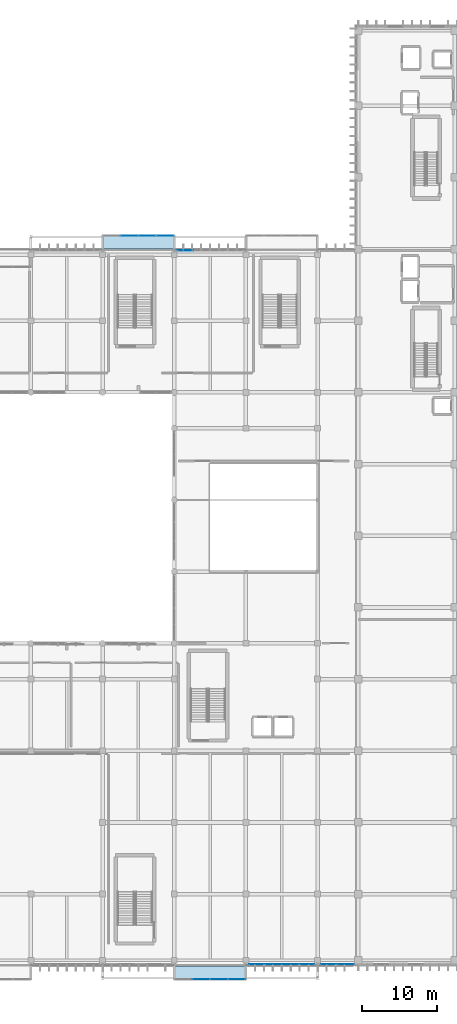
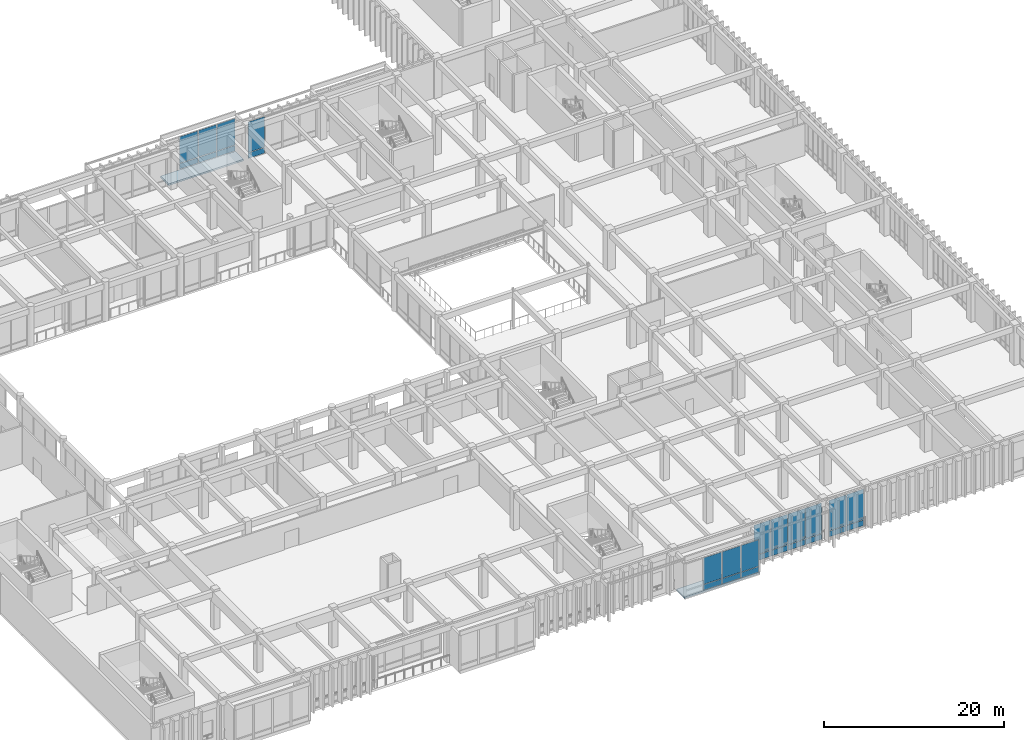
# One storey, part 95 of 134: 26 plates, 2 slabs, 5 elements without a shape of their own.
"""IFC4 building model written with IfcOpenShell, lengths in metres."""

from ifc_helpers import new_model, si_unit, direction, frame, origin, origin_2d, place, context, subcontext, project, spatial, polyline, rectangle, outline, extrude, material, layer, layer_set, type_object, element, aggregate, save


model = new_model("IFC4")

# Units and contexts
model_context = context("Model", 3, precision=1e-05, world=origin(), true_north=direction((0.0, 1.0)))
body_context = subcontext(model_context, "Body", "Model", "MODEL_VIEW")
ifc_project = project(units=[si_unit("LENGTHUNIT", "METRE"), si_unit("AREAUNIT", "SQUARE_METRE"), si_unit("VOLUMEUNIT", "CUBIC_METRE"), si_unit("PLANEANGLEUNIT", "RADIAN"), si_unit("MASSUNIT", "GRAM", prefix="KILO")], contexts=[model_context])

# Site, building, storey
site_placement = place(None, origin())
site = spatial("IfcSite", under=ifc_project, at=site_placement, CompositionType="ELEMENT")
building_placement = place(site_placement, origin())
building = spatial("IfcBuilding", under=site, at=building_placement, Name="Nakhvara Creek Congress Hotel", CompositionType="ELEMENT")
storey_placement = place(building_placement, frame((0.0, 0.0, 6.0)))
storey = spatial("IfcBuildingStorey", under=building, at=storey_placement, Name="L01", CompositionType="ELEMENT", Elevation=6.0)

# Curtain wall, plates
ifc_material_1 = material(Name="Bronze-anodised aluminium AW-6063-T6 and double-silver low-E glass", Category="aluminium")
ifc_layer_1 = layer(ifc_material_1, 0.219970703125)
ifc_layer_set_1 = layer_set([ifc_layer_1], Name="Bronze-anodised aluminium AW-6063-T6 and double-silver low-E glass")
curtain_wall_type_1 = type_object("IfcCurtainWallType", Name="CW-BOX-PROJ", PredefinedType="USERDEFINED", material=ifc_layer_set_1)
curtain_wall_1_placement = place(storey_placement, origin())
curtain_wall_1 = element("IfcCurtainWall", 1, at=curtain_wall_1_placement, inside=storey, type_object=curtain_wall_type_1, Name="Curtain Wall CW066", ObjectType="UNITISED", PredefinedType="USERDEFINED")
ifc_material_2 = material(Name="Double-silver solar-control low-E insulated glass", Category="glass")
plate_type = type_object("IfcPlateType", Name="PNL-GLZ-240X260", PredefinedType="CURTAIN_PANEL", material=ifc_material_2)
plate_1_placement = place(storey_placement, frame((118.800048828125, 97.800048828125, 0.0751953125), z_axis=(0.0, 0.0, 1.0), x_axis=(1.0, 0.0, 0.0)))
plate_1 = element("IfcPlate", 2, at=plate_1_placement, type_object=plate_type, Name="CW066 panel 2.1", PredefinedType="CURTAIN_PANEL", context=body_context, shape_type="SweptSolid", body=[
    extrude(rectangle(XDim=2.320068359375, YDim=0.030029296875, at=origin_2d()), origin(), (0.0, 0.0, 1.0), 0.737548828125),
])
plate_2_placement = place(storey_placement, frame((118.800048828125, 97.800048828125, 0.887451171875), z_axis=(0.0, 0.0, 1.0), x_axis=(1.0, 0.0, 0.0)))
plate_2 = element("IfcPlate", 3, at=plate_2_placement, type_object=plate_type, Name="CW066 panel 2.2", PredefinedType="CURTAIN_PANEL", context=body_context, shape_type="SweptSolid", body=[
    extrude(rectangle(XDim=2.320068359375, YDim=0.030029296875, at=origin_2d()), origin(), (0.0, 0.0, 1.0), 3.57958984375),
])
plate_3_placement = place(storey_placement, frame((121.199951171875, 97.800048828125, 0.0751953125), z_axis=(0.0, 0.0, 1.0), x_axis=(1.0, 0.0, 0.0)))
plate_3 = element("IfcPlate", 4, at=plate_3_placement, type_object=plate_type, Name="CW066 panel 3.1", PredefinedType="CURTAIN_PANEL", context=body_context, shape_type="SweptSolid", body=[
    extrude(rectangle(XDim=2.320068359375, YDim=0.030029296875, at=origin_2d()), origin(), (0.0, 0.0, 1.0), 0.737548828125),
])
plate_4_placement = place(storey_placement, frame((121.199951171875, 97.800048828125, 0.887451171875), z_axis=(0.0, 0.0, 1.0), x_axis=(1.0, 0.0, 0.0)))
plate_4 = element("IfcPlate", 5, at=plate_4_placement, type_object=plate_type, Name="CW066 panel 3.2", PredefinedType="CURTAIN_PANEL", context=body_context, shape_type="SweptSolid", body=[
    extrude(rectangle(XDim=2.320068359375, YDim=0.030029296875, at=origin_2d()), origin(), (0.0, 0.0, 1.0), 3.57958984375),
])
plate_5_placement = place(storey_placement, frame((123.580078125, 97.800048828125, 0.0751953125), z_axis=(0.0, 0.0, 1.0), x_axis=(1.0, 0.0, 0.0)))
plate_5 = element("IfcPlate", 6, at=plate_5_placement, type_object=plate_type, Name="CW066 panel 4.1", PredefinedType="CURTAIN_PANEL", context=body_context, shape_type="SweptSolid", body=[
    extrude(rectangle(XDim=2.280029296875, YDim=0.030029296875, at=origin_2d()), origin(), (0.0, 0.0, 1.0), 0.737548828125),
])
plate_6_placement = place(storey_placement, frame((123.580078125, 97.800048828125, 0.887451171875), z_axis=(0.0, 0.0, 1.0), x_axis=(1.0, 0.0, 0.0)))
plate_6 = element("IfcPlate", 7, at=plate_6_placement, type_object=plate_type, Name="CW066 panel 4.2", PredefinedType="CURTAIN_PANEL", context=body_context, shape_type="SweptSolid", body=[
    extrude(rectangle(XDim=2.280029296875, YDim=0.030029296875, at=origin_2d()), origin(), (0.0, 0.0, 1.0), 3.57958984375),
])
aggregate(curtain_wall_1, [plate_1, plate_2, plate_3, plate_4, plate_5, plate_6])

ifc_layer_2 = layer(ifc_material_1, 0.199951171875)
ifc_layer_set_2 = layer_set([ifc_layer_2], Name="Bronze-anodised aluminium AW-6063-T6 and double-silver low-E glass")
curtain_wall_type_2 = type_object("IfcCurtainWallType", Name="CW-POD-STICK", PredefinedType="NOTDEFINED", material=ifc_layer_set_2)
curtain_wall_2_placement = place(storey_placement, origin())
curtain_wall_2 = element("IfcCurtainWall", 8, at=curtain_wall_2_placement, inside=storey, type_object=curtain_wall_type_2, Name="Curtain Wall CW072", PredefinedType="NOTDEFINED")
plate_7_placement = place(storey_placement, frame((126.320068359375, 95.800048828125, 0.06494140625), z_axis=(0.0, 0.0, 1.0), x_axis=(1.0, 0.0, 0.0)))
plate_7 = element("IfcPlate", 9, at=plate_7_placement, type_object=plate_type, Name="CW072 panel 1.1", PredefinedType="CURTAIN_PANEL", context=body_context, shape_type="SweptSolid", body=[
    extrude(rectangle(XDim=2.10009765625, YDim=0.030029296875, at=origin_2d()), origin(), (0.0, 0.0, 1.0), 0.75244140625),
])
plate_8_placement = place(storey_placement, frame((126.320068359375, 95.800048828125, 0.882568359375), z_axis=(0.0, 0.0, 1.0), x_axis=(1.0, 0.0, 0.0)))
plate_8 = element("IfcPlate", 10, at=plate_8_placement, type_object=plate_type, Name="CW072 panel 1.2", PredefinedType="CURTAIN_PANEL", context=body_context, shape_type="SweptSolid", body=[
    extrude(rectangle(XDim=2.10009765625, YDim=0.030029296875, at=origin_2d()), origin(), (0.0, 0.0, 1.0), 4.12255859375),
])
aggregate(curtain_wall_2, [plate_7, plate_8])

curtain_wall_3_placement = place(storey_placement, origin())
curtain_wall_3 = element("IfcCurtainWall", 11, at=curtain_wall_3_placement, inside=storey, type_object=curtain_wall_type_1, Name="Curtain Wall CW075", ObjectType="UNITISED", PredefinedType="USERDEFINED")
plate_9_placement = place(storey_placement, frame((133.179931640625, -1.800048828125, 0.0751953125), z_axis=(0.0, 0.0, 1.0), x_axis=(-1.0, 0.0, 0.0)))
plate_9 = element("IfcPlate", 12, at=plate_9_placement, type_object=plate_type, Name="CW075 panel 1.1", PredefinedType="CURTAIN_PANEL", context=body_context, shape_type="SweptSolid", body=[
    extrude(rectangle(XDim=2.280029296875, YDim=0.030029296875, at=origin_2d()), origin(), (0.0, 0.0, 1.0), 0.737548828125),
])
plate_10_placement = place(storey_placement, frame((133.179931640625, -1.800048828125, 0.887451171875), z_axis=(0.0, 0.0, 1.0), x_axis=(-1.0, 0.0, 0.0)))
plate_10 = element("IfcPlate", 13, at=plate_10_placement, type_object=plate_type, Name="CW075 panel 1.2", PredefinedType="CURTAIN_PANEL", context=body_context, shape_type="SweptSolid", body=[
    extrude(rectangle(XDim=2.280029296875, YDim=0.030029296875, at=origin_2d()), origin(), (0.0, 0.0, 1.0), 3.57958984375),
])
plate_11_placement = place(storey_placement, frame((130.800048828125, -1.800048828125, 0.0751953125), z_axis=(0.0, 0.0, 1.0), x_axis=(-1.0, 0.0, 0.0)))
plate_11 = element("IfcPlate", 14, at=plate_11_placement, type_object=plate_type, Name="CW075 panel 2.1", PredefinedType="CURTAIN_PANEL", context=body_context, shape_type="SweptSolid", body=[
    extrude(rectangle(XDim=2.320068359375, YDim=0.030029296875, at=origin_2d()), origin(), (0.0, 0.0, 1.0), 0.737548828125),
])
plate_12_placement = place(storey_placement, frame((130.800048828125, -1.800048828125, 0.887451171875), z_axis=(0.0, 0.0, 1.0), x_axis=(-1.0, 0.0, 0.0)))
plate_12 = element("IfcPlate", 15, at=plate_12_placement, type_object=plate_type, Name="CW075 panel 2.2", PredefinedType="CURTAIN_PANEL", context=body_context, shape_type="SweptSolid", body=[
    extrude(rectangle(XDim=2.320068359375, YDim=0.030029296875, at=origin_2d()), origin(), (0.0, 0.0, 1.0), 3.57958984375),
])
plate_13_placement = place(storey_placement, frame((128.39990234375, -1.800048828125, 0.0751953125), z_axis=(0.0, 0.0, 1.0), x_axis=(-1.0, 0.0, 0.0)))
plate_13 = element("IfcPlate", 16, at=plate_13_placement, type_object=plate_type, Name="CW075 panel 3.1", PredefinedType="CURTAIN_PANEL", context=body_context, shape_type="SweptSolid", body=[
    extrude(rectangle(XDim=2.320068359375, YDim=0.030029296875, at=origin_2d()), origin(), (0.0, 0.0, 1.0), 0.737548828125),
])
plate_14_placement = place(storey_placement, frame((128.39990234375, -1.800048828125, 0.887451171875), z_axis=(0.0, 0.0, 1.0), x_axis=(-1.0, 0.0, 0.0)))
plate_14 = element("IfcPlate", 17, at=plate_14_placement, type_object=plate_type, Name="CW075 panel 3.2", PredefinedType="CURTAIN_PANEL", context=body_context, shape_type="SweptSolid", body=[
    extrude(rectangle(XDim=2.320068359375, YDim=0.030029296875, at=origin_2d()), origin(), (0.0, 0.0, 1.0), 3.57958984375),
])
aggregate(curtain_wall_3, [plate_9, plate_10, plate_11, plate_12, plate_13, plate_14])

ifc_layer_3 = layer(ifc_material_1, 0.199951171875)
ifc_layer_set_3 = layer_set([ifc_layer_3], Name="Bronze-anodised aluminium AW-6063-T6 and double-silver low-E glass")
curtain_wall_type_3 = type_object("IfcCurtainWallType", Name="CW-SPA-STICK", PredefinedType="NOTDEFINED", material=ifc_layer_set_3)
curtain_wall_4_placement = place(storey_placement, origin())
curtain_wall_4 = element("IfcCurtainWall", 18, at=curtain_wall_4_placement, inside=storey, type_object=curtain_wall_type_3, Name="Curtain Wall CW079", PredefinedType="NOTDEFINED")
plate_15_placement = place(storey_placement, frame((142.47998046875, 0.199951171875, 0.06494140625), z_axis=(0.0, 0.0, 1.0), x_axis=(-1.0, 0.0, 0.0)))
plate_15 = element("IfcPlate", 19, at=plate_15_placement, type_object=plate_type, Name="CW079 panel 1.1", PredefinedType="CURTAIN_PANEL", context=body_context, shape_type="SweptSolid", body=[
    extrude(rectangle(XDim=2.10009765625, YDim=0.030029296875, at=origin_2d()), origin(), (0.0, 0.0, 1.0), 0.75244140625),
])
plate_16_placement = place(storey_placement, frame((142.47998046875, 0.199951171875, 0.882568359375), z_axis=(0.0, 0.0, 1.0), x_axis=(-1.0, 0.0, 0.0)))
plate_16 = element("IfcPlate", 20, at=plate_16_placement, type_object=plate_type, Name="CW079 panel 1.2", PredefinedType="CURTAIN_PANEL", context=body_context, shape_type="SweptSolid", body=[
    extrude(rectangle(XDim=2.10009765625, YDim=0.030029296875, at=origin_2d()), origin(), (0.0, 0.0, 1.0), 4.12255859375),
])
plate_17_placement = place(storey_placement, frame((140.298828125, 0.199951171875, 0.06494140625), z_axis=(0.0, 0.0, 1.0), x_axis=(-1.0, 0.0, 0.0)))
plate_17 = element("IfcPlate", 21, at=plate_17_placement, type_object=plate_type, Name="CW079 panel 2.1", PredefinedType="CURTAIN_PANEL", context=body_context, shape_type="SweptSolid", body=[
    extrude(rectangle(XDim=2.132568359375, YDim=0.030029296875, at=origin_2d()), origin(), (0.0, 0.0, 1.0), 0.75244140625),
])
plate_18_placement = place(storey_placement, frame((140.298828125, 0.199951171875, 0.882568359375), z_axis=(0.0, 0.0, 1.0), x_axis=(-1.0, 0.0, 0.0)))
plate_18 = element("IfcPlate", 22, at=plate_18_placement, type_object=plate_type, Name="CW079 panel 2.2", PredefinedType="CURTAIN_PANEL", context=body_context, shape_type="SweptSolid", body=[
    extrude(rectangle(XDim=2.132568359375, YDim=0.030029296875, at=origin_2d()), origin(), (0.0, 0.0, 1.0), 4.12255859375),
])
plate_19_placement = place(storey_placement, frame((138.101318359375, 0.199951171875, 0.06494140625), z_axis=(0.0, 0.0, 1.0), x_axis=(-1.0, 0.0, 0.0)))
plate_19 = element("IfcPlate", 23, at=plate_19_placement, type_object=plate_type, Name="CW079 panel 3.1", PredefinedType="CURTAIN_PANEL", context=body_context, shape_type="SweptSolid", body=[
    extrude(rectangle(XDim=2.132568359375, YDim=0.030029296875, at=origin_2d()), origin(), (0.0, 0.0, 1.0), 0.75244140625),
])
plate_20_placement = place(storey_placement, frame((138.101318359375, 0.199951171875, 0.882568359375), z_axis=(0.0, 0.0, 1.0), x_axis=(-1.0, 0.0, 0.0)))
plate_20 = element("IfcPlate", 24, at=plate_20_placement, type_object=plate_type, Name="CW079 panel 3.2", PredefinedType="CURTAIN_PANEL", context=body_context, shape_type="SweptSolid", body=[
    extrude(rectangle(XDim=2.132568359375, YDim=0.030029296875, at=origin_2d()), origin(), (0.0, 0.0, 1.0), 4.12255859375),
])
plate_21_placement = place(storey_placement, frame((135.919921875, 0.199951171875, 0.06494140625), z_axis=(0.0, 0.0, 1.0), x_axis=(-1.0, 0.0, 0.0)))
plate_21 = element("IfcPlate", 25, at=plate_21_placement, type_object=plate_type, Name="CW079 panel 4.1", PredefinedType="CURTAIN_PANEL", context=body_context, shape_type="SweptSolid", body=[
    extrude(rectangle(XDim=2.10009765625, YDim=0.030029296875, at=origin_2d()), origin(), (0.0, 0.0, 1.0), 0.75244140625),
])
plate_22_placement = place(storey_placement, frame((135.919921875, 0.199951171875, 0.882568359375), z_axis=(0.0, 0.0, 1.0), x_axis=(-1.0, 0.0, 0.0)))
plate_22 = element("IfcPlate", 26, at=plate_22_placement, type_object=plate_type, Name="CW079 panel 4.2", PredefinedType="CURTAIN_PANEL", context=body_context, shape_type="SweptSolid", body=[
    extrude(rectangle(XDim=2.10009765625, YDim=0.030029296875, at=origin_2d()), origin(), (0.0, 0.0, 1.0), 4.12255859375),
])
aggregate(curtain_wall_4, [plate_15, plate_16, plate_17, plate_18, plate_19, plate_20, plate_21, plate_22])

curtain_wall_5_placement = place(storey_placement, origin())
curtain_wall_5 = element("IfcCurtainWall", 27, at=curtain_wall_5_placement, inside=storey, type_object=curtain_wall_type_3, Name="Curtain Wall CW080", PredefinedType="NOTDEFINED")
plate_23_placement = place(storey_placement, frame((147.7861328125, 0.199951171875, 0.06494140625), z_axis=(0.0, 0.0, 1.0), x_axis=(-1.0, 0.0, 0.0)))
plate_23 = element("IfcPlate", 28, at=plate_23_placement, type_object=plate_type, Name="CW080 panel 1.1", PredefinedType="CURTAIN_PANEL", context=body_context, shape_type="SweptSolid", body=[
    extrude(rectangle(XDim=2.16748046875, YDim=0.030029296875, at=origin_2d()), origin(), (0.0, 0.0, 1.0), 0.75244140625),
])
plate_24_placement = place(storey_placement, frame((147.7861328125, 0.199951171875, 0.882568359375), z_axis=(0.0, 0.0, 1.0), x_axis=(-1.0, 0.0, 0.0)))
plate_24 = element("IfcPlate", 29, at=plate_24_placement, type_object=plate_type, Name="CW080 panel 1.2", PredefinedType="CURTAIN_PANEL", context=body_context, shape_type="SweptSolid", body=[
    extrude(rectangle(XDim=2.16748046875, YDim=0.030029296875, at=origin_2d()), origin(), (0.0, 0.0, 1.0), 4.12255859375),
])
plate_25_placement = place(storey_placement, frame((145.5537109375, 0.199951171875, 0.06494140625), z_axis=(0.0, 0.0, 1.0), x_axis=(-1.0, 0.0, 0.0)))
plate_25 = element("IfcPlate", 30, at=plate_25_placement, type_object=plate_type, Name="CW080 panel 2.1", PredefinedType="CURTAIN_PANEL", context=body_context, shape_type="SweptSolid", body=[
    extrude(rectangle(XDim=2.16748046875, YDim=0.030029296875, at=origin_2d()), origin(), (0.0, 0.0, 1.0), 0.75244140625),
])
plate_26_placement = place(storey_placement, frame((145.5537109375, 0.199951171875, 0.882568359375), z_axis=(0.0, 0.0, 1.0), x_axis=(-1.0, 0.0, 0.0)))
plate_26 = element("IfcPlate", 31, at=plate_26_placement, type_object=plate_type, Name="CW080 panel 2.2", PredefinedType="CURTAIN_PANEL", context=body_context, shape_type="SweptSolid", body=[
    extrude(rectangle(XDim=2.16748046875, YDim=0.030029296875, at=origin_2d()), origin(), (0.0, 0.0, 1.0), 4.12255859375),
])
aggregate(curtain_wall_5, [plate_23, plate_24, plate_25, plate_26])

# Slabs
ifc_material_3 = material(Name="Concrete C40/50", Category="concrete")
ifc_layer_4 = layer(ifc_material_3, 0.219970703125)
ifc_layer_set_4 = layer_set([ifc_layer_4], Name="Concrete C40/50")
slab_type = type_object("IfcSlabType", Name="SL-FLR-220", PredefinedType="FLOOR", material=ifc_layer_set_4)
slab_1_placement = place(storey_placement, frame((0.0, 0.0, -0.219970703125)))
element("IfcSlab", 32, at=slab_1_placement, inside=storey, type_object=slab_type, Name="Structural Slab SLB-PBOX-L01-N2", PredefinedType="FLOOR", context=body_context, shape_type="SweptSolid", body=[
    extrude(outline(polyline([(115.199951171875, 96.0), (124.800048828125, 96.0), (124.800048828125, 97.800048828125), (115.199951171875, 97.800048828125), (115.199951171875, 96.0)])), origin(), (0.0, 0.0, 1.0), 0.219970703125),
])
slab_2_placement = place(storey_placement, frame((0.0, 0.0, -0.219970703125)))
element("IfcSlab", 33, at=slab_2_placement, inside=storey, type_object=slab_type, Name="Structural Slab SLB-PBOX-L01-S3", PredefinedType="FLOOR", context=body_context, shape_type="SweptSolid", body=[
    extrude(outline(polyline([(124.800048828125, -1.800048828125), (134.39990234375, -1.800048828125), (134.39990234375, 0.0), (124.800048828125, 0.0), (124.800048828125, -1.800048828125)])), origin(), (0.0, 0.0, 1.0), 0.219970703125),
])

save(model, "model.ifc")
